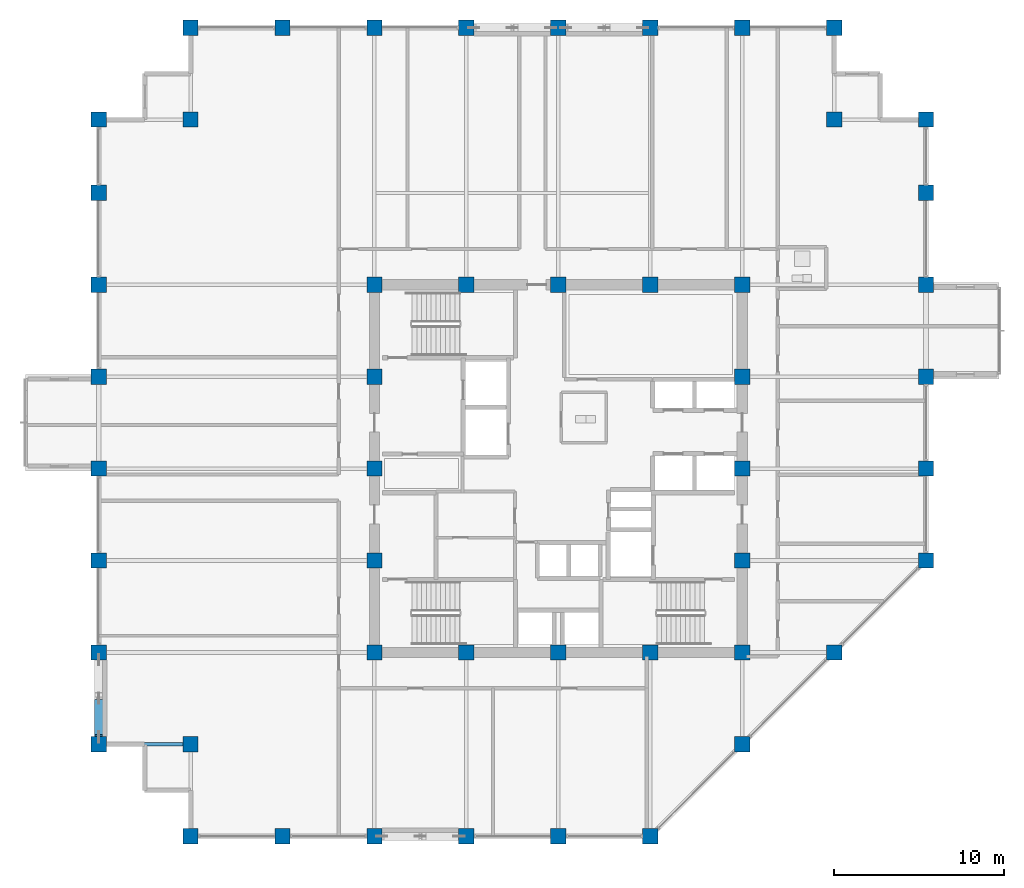
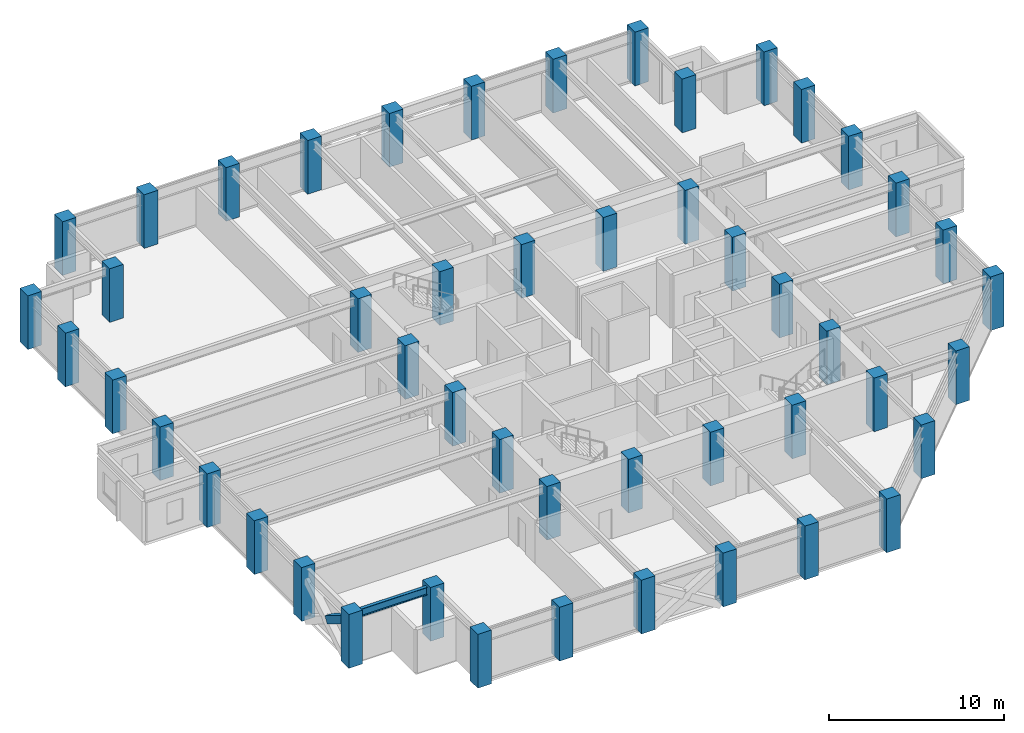
# One storey, part 1 of 28: 49 columns, 1 beam, 1 member.
"""IFC4 building model written with IfcOpenShell, lengths in metres."""

from ifc_helpers import new_model, si_unit, direction, frame, origin, origin_2d, place, context, subcontext, project, spatial, rectangle, hollow_rectangle, i_section, extrude, material, material_profile, profile_set, type_object, element, save


model = new_model("IFC4")

# Units and contexts
model_context = context("Model", 3, precision=1e-05, world=origin(), true_north=direction((0.0, 1.0)))
body_context = subcontext(model_context, "Body", "Model", "MODEL_VIEW")
ifc_project = project(units=[si_unit("LENGTHUNIT", "METRE"), si_unit("AREAUNIT", "SQUARE_METRE"), si_unit("VOLUMEUNIT", "CUBIC_METRE"), si_unit("PLANEANGLEUNIT", "RADIAN"), si_unit("MASSUNIT", "GRAM", prefix="KILO")], contexts=[model_context])

# Site, building, storey
site_placement = place(None, origin())
site = spatial("IfcSite", under=ifc_project, at=site_placement, CompositionType="ELEMENT")
building_placement = place(site_placement, origin())
building = spatial("IfcBuilding", under=site, at=building_placement, Name="Surkhivell Harbour Commons", CompositionType="ELEMENT")
storey_placement = place(building_placement, frame((0.0, 0.0, 178.5)))
storey = spatial("IfcBuildingStorey", under=building, at=storey_placement, Name="L46", CompositionType="ELEMENT", Elevation=178.5)

# Columns
ifc_material_1 = material(Name="Concrete C60/75", Category="concrete")
ifc_material_profile_1 = material_profile(ifc_material_1, rectangle(XDim=0.89990234375, YDim=0.89990234375, at=origin_2d()), Name="RC-COL-900x900")
ifc_profile_set_1 = profile_set([ifc_material_profile_1], Name="Concrete C60/75")
column_type = type_object("IfcColumnType", Name="COL-TUBE-Z3A", PredefinedType="COLUMN", material=ifc_profile_set_1)
for number, where, z_axis, x_axis, name in (
    (1, (-27.0, -16.199951171875, 0.0), (0.0, 0.0, 1.0), (1.0, 0.0, 0.0), "L46 Column CT-3A (-27.0,-16.2)"),
    (2, (-27.0, -10.800048828125, 0.0), (0.0, 0.0, 1.0), (1.0, 0.0, 0.0), "L46 Column CT-3A (-27.0,-10.8)"),
    (3, (-27.0, -5.39990234375, 0.0), (0.0, 0.0, 1.0), (1.0, 0.0, 0.0), "L46 Column CT-3A (-27.0,-5.4)"),
    (4, (-27.0, 0.0, 0.0), (0.0, 0.0, 1.0), (1.0, 0.0, 0.0), "L46 Column CT-3A (-27.0,0.0)"),
    (5, (-27.0, 5.39990234375, 0.0), (0.0, 0.0, 1.0), (1.0, 0.0, 0.0), "L46 Column CT-3A (-27.0,5.4)"),
    (6, (-27.0, 10.800048828125, 0.0), (0.0, 0.0, 1.0), (1.0, 0.0, 0.0), "L46 Column CT-3A (-27.0,10.8)"),
    (7, (-27.0, 16.199951171875, 0.0), (0.0, 0.0, 1.0), (1.0, 0.0, 0.0), "L46 Column CT-3A (-27.0,16.2)"),
    (8, (-27.0, 20.5, 0.0), (0.0, 0.0, 1.0), (1.0, 0.0, 0.0), "L46 Column CT-3A (-27.0,20.5)"),
    (9, (-21.60009765625, -21.60009765625, 0.0), (0.0, 0.0, 1.0), (1.0, 0.0, 0.0), "L46 Column CT-3A (-21.6,-21.6)"),
    (10, (-21.60009765625, -16.199951171875, 0.0), (0.0, 0.0, 1.0), (1.0, 0.0, 0.0), "L46 Column CT-3A (-21.6,-16.2)"),
    (11, (-21.60009765625, 20.5, 0.0), (0.0, 0.0, 1.0), (1.0, 0.0, 0.0), "L46 Column CT-3A (-21.6,20.5)"),
    (12, (-21.60009765625, 25.89990234375, 0.0), (0.0, 0.0, 1.0), (1.0, 0.0, 0.0), "L46 Column CT-3A (-21.6,25.9)"),
    (13, (-16.199951171875, -21.60009765625, 0.0), (0.0, 0.0, 1.0), (1.0, 0.0, 0.0), "L46 Column CT-3A (-16.2,-21.6)"),
    (14, (-16.199951171875, 25.89990234375, 0.0), (0.0, 0.0, 1.0), (1.0, 0.0, 0.0), "L46 Column CT-3A (-16.2,25.9)"),
    (15, (-10.800048828125, -21.60009765625, 0.0), (0.0, 0.0, 1.0), (1.0, 0.0, 0.0), "L46 Column CT-3A (-10.8,-21.6)"),
    (16, (-10.800048828125, -10.800048828125, 0.0), (0.0, 0.0, 1.0), (1.0, 0.0, 0.0), "L46 Column CT-3A (-10.8,-10.8)"),
    (17, (-10.800048828125, -5.39990234375, 0.0), (0.0, 0.0, 1.0), (1.0, 0.0, 0.0), "L46 Column CT-3A (-10.8,-5.4)"),
    (18, (-10.800048828125, 0.0, 0.0), (0.0, 0.0, 1.0), (1.0, 0.0, 0.0), "L46 Column CT-3A (-10.8,0.0)"),
    (19, (-10.800048828125, 5.39990234375, 0.0), (0.0, 0.0, 1.0), (1.0, 0.0, 0.0), "L46 Column CT-3A (-10.8,5.4)"),
    (20, (-10.800048828125, 10.800048828125, 0.0), (0.0, 0.0, 1.0), (1.0, 0.0, 0.0), "L46 Column CT-3A (-10.8,10.8)"),
    (21, (-10.800048828125, 25.89990234375, 0.0), (0.0, 0.0, 1.0), (1.0, 0.0, 0.0), "L46 Column CT-3A (-10.8,25.9)"),
    (22, (-5.39990234375, -21.60009765625, 0.0), (0.0, 0.0, 1.0), (1.0, 0.0, 0.0), "L46 Column CT-3A (-5.4,-21.6)"),
    (23, (-5.39990234375, -10.800048828125, 0.0), (0.0, 0.0, 1.0), (1.0, 0.0, 0.0), "L46 Column CT-3A (-5.4,-10.8)"),
    (24, (-5.39990234375, 10.800048828125, 0.0), (0.0, 0.0, 1.0), (1.0, 0.0, 0.0), "L46 Column CT-3A (-5.4,10.8)"),
    (25, (-5.39990234375, 25.89990234375, 0.0), (0.0, 0.0, 1.0), (1.0, 0.0, 0.0), "L46 Column CT-3A (-5.4,25.9)"),
    (26, (0.0, -21.60009765625, 0.0), (0.0, 0.0, 1.0), (1.0, 0.0, 0.0), "L46 Column CT-3A (-0.0,-21.6)"),
    (27, (0.0, -10.800048828125, 0.0), (0.0, 0.0, 1.0), (1.0, 0.0, 0.0), "L46 Column CT-3A (0.0,-10.8)"),
    (28, (0.0, 10.800048828125, 0.0), (0.0, 0.0, 1.0), (1.0, 0.0, 0.0), "L46 Column CT-3A (0.0,10.8)"),
    (29, (0.0, 25.89990234375, 0.0), (0.0, 0.0, 1.0), (1.0, 0.0, 0.0), "L46 Column CT-3A (-0.0,25.9)"),
    (30, (5.39990234375, -21.60009765625, 0.0), (0.0, 0.0, 1.0), (1.0, 0.0, 0.0), "L46 Column CT-3A (5.4,-21.6)"),
    (31, (5.39990234375, -10.800048828125, 0.0), (0.0, 0.0, 1.0), (1.0, 0.0, 0.0), "L46 Column CT-3A (5.4,-10.8)"),
    (32, (5.39990234375, 10.800048828125, 0.0), (0.0, 0.0, 1.0), (1.0, 0.0, 0.0), "L46 Column CT-3A (5.4,10.8)"),
    (33, (5.39990234375, 25.89990234375, 0.0), (0.0, 0.0, 1.0), (1.0, 0.0, 0.0), "L46 Column CT-3A (5.4,25.9)"),
    (34, (10.800048828125, -16.199951171875, 0.0), (0.0, 0.0, 1.0), (1.0, 0.0, 0.0), "L46 Column CT-3A (10.8,-16.2)"),
    (35, (10.800048828125, -10.800048828125, 0.0), (0.0, 0.0, 1.0), (1.0, 0.0, 0.0), "L46 Column CT-3A (10.8,-10.8)"),
    (36, (10.800048828125, -5.39990234375, 0.0), (0.0, 0.0, 1.0), (1.0, 0.0, 0.0), "L46 Column CT-3A (10.8,-5.4)"),
    (37, (10.800048828125, 0.0, 0.0), (0.0, 0.0, 1.0), (1.0, 0.0, 0.0), "L46 Column CT-3A (10.8,0.0)"),
    (38, (10.800048828125, 5.39990234375, 0.0), (0.0, 0.0, 1.0), (1.0, 0.0, 0.0), "L46 Column CT-3A (10.8,5.4)"),
    (39, (10.800048828125, 10.800048828125, 0.0), (0.0, 0.0, 1.0), (1.0, 0.0, 0.0), "L46 Column CT-3A (10.8,10.8)"),
    (40, (10.800048828125, 25.89990234375, 0.0), (0.0, 0.0, 1.0), (1.0, 0.0, 0.0), "L46 Column CT-3A (10.8,25.9)"),
    (41, (16.199951171875, -10.800048828125, 0.0), (0.0, 0.0, 1.0), (1.0, 0.0, 0.0), "L46 Column CT-3A (16.2,-10.8)"),
    (42, (16.199951171875, 20.5, 0.0), (0.0, 0.0, 1.0), (1.0, 0.0, 0.0), "L46 Column CT-3A (16.2,20.5)"),
    (43, (16.199951171875, 25.89990234375, 0.0), (0.0, 0.0, 1.0), (1.0, 0.0, 0.0), "L46 Column CT-3A (16.2,25.9)"),
    (44, (21.60009765625, -5.39990234375, 0.0), (0.0, 0.0, 1.0), (1.0, 0.0, 0.0), "L46 Column CT-3A (21.6,-5.4)"),
    (45, (21.60009765625, 0.0, 0.0), (0.0, 0.0, 1.0), (1.0, 0.0, 0.0), "L46 Column CT-3A (21.6,0.0)"),
    (46, (21.60009765625, 5.39990234375, 0.0), (0.0, 0.0, 1.0), (1.0, 0.0, 0.0), "L46 Column CT-3A (21.6,5.4)"),
    (47, (21.60009765625, 10.800048828125, 0.0), (0.0, 0.0, 1.0), (1.0, 0.0, 0.0), "L46 Column CT-3A (21.6,10.8)"),
    (48, (21.60009765625, 16.199951171875, 0.0), (0.0, 0.0, 1.0), (1.0, 0.0, 0.0), "L46 Column CT-3A (21.6,16.2)"),
    (49, (21.60009765625, 20.5, 0.0), (0.0, 0.0, 1.0), (1.0, 0.0, 0.0), "L46 Column CT-3A (21.6,20.5)"),
):
    element("IfcColumn", number, at=place(storey_placement, frame(where, z_axis=z_axis, x_axis=x_axis)), inside=storey, type_object=column_type, Name=name, PredefinedType="COLUMN", context=body_context, shape_type="SweptSolid", body=[
        extrude(rectangle(XDim=0.89990234375, YDim=0.89990234375, at=origin_2d()), origin(), (0.0, 0.0, 1.0), 3.75),
    ])

# Beam
ifc_material_2 = material(Name="Steel S355", Category="steel")
ifc_material_profile_2 = material_profile(ifc_material_2, i_section(OverallWidth=0.2119140625, OverallDepth=0.5439453125, WebThickness=0.0126953125, FlangeThickness=0.021240234375, at=origin_2d()), Name="UB533x210x122")
ifc_profile_set_2 = profile_set([ifc_material_profile_2], Name="Steel S355")
beam_type = type_object("IfcBeamType", Name="BM-GRD-533A", PredefinedType="BEAM", material=ifc_profile_set_2)
beam_placement = place(storey_placement, frame((-27.0, -16.199951171875, 3.298095703125), z_axis=(1.0, 0.0, 0.0), x_axis=(0.0, 1.0, 0.0)))
element("IfcBeam", 50, at=beam_placement, inside=storey, type_object=beam_type, Name="L46 Floor Girder (-27.0,-16.2)", PredefinedType="BEAM", context=body_context, shape_type="SweptSolid", body=[
    extrude(i_section(OverallWidth=0.2119140625, OverallDepth=0.5439453125, WebThickness=0.0126953125, FlangeThickness=0.021240234375, at=origin_2d()), origin(), (0.0, 0.0, 1.0), 5.39990234375),
])

# Member
ifc_material_3 = material(Name="Steel S460", Category="steel")
ifc_material_profile_3 = material_profile(ifc_material_3, hollow_rectangle(XDim=0.5, YDim=0.5, WallThickness=0.02490234375, at=origin_2d()), Name="SHS500x500x25")
ifc_profile_set_3 = profile_set([ifc_material_profile_3], Name="Steel S460")
member_type = type_object("IfcMemberType", Name="MEM-BRC-SHS500", PredefinedType="BRACE", material=ifc_profile_set_3)
member_placement = place(storey_placement, frame((-27.0, -13.7041015625, 1.531982421875), z_axis=(0.0, -0.850958361341, 0.525233155146), x_axis=(1.0, 0.0, 0.0)))
element("IfcMember", 51, at=member_placement, inside=storey, type_object=member_type, Name="L46 Perimeter Mega-Brace MB- 12", PredefinedType="BRACE", context=body_context, shape_type="SweptSolid", body=[
    extrude(hollow_rectangle(XDim=0.5, YDim=0.5, WallThickness=0.02490234375, at=origin_2d()), origin(), (0.0, 0.0, 1.0), 2.421630859375),
])

save(model, "model.ifc")
